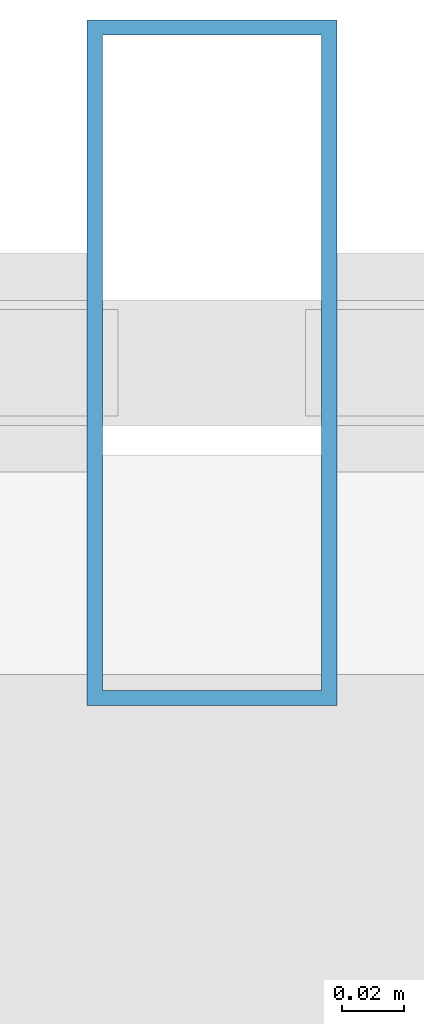
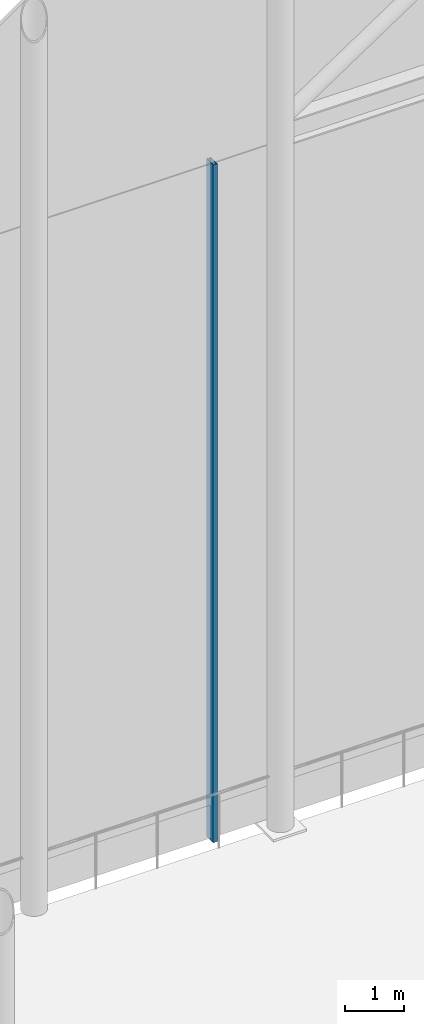
# One storey, part 30 of 42: 1 member, 1 element without a shape of its own.
"""IFC4 building model written with IfcOpenShell, lengths in metres."""

import ifcopenshell
import ifcopenshell.guid

model = None  # the IFC model being written
_history = None  # IfcOwnerHistory: only IFC2X3 demands one
_inside = {}  # id of a spatial element -> (the spatial element, [elements in it])
_under = {}  # id of a project, library or spatial element -> (it, [spatial elements below it])
_declared = {}  # id of a project -> (the project, [libraries it declares])
_typed = {}  # id of a type object -> (the type object, [elements of that type])
_made_of = {}  # id of a material, layer set ... -> (it, [elements and type objects made of it])


def new_model(schema):
    """Start an empty IFC model of exactly this schema.

    Asked for "IFC4X3", IfcOpenShell would pick the latest addendum, in which some entities
    have other attributes; the version numbers below select the first issue.
    IFC2X3 requires an IfcOwnerHistory on every rooted entity: one is made here for all.
    """
    global model, _history
    if schema == "IFC4X3":
        model = ifcopenshell.file(schema_version=(4, 3, 0, 0))
    else:
        model = ifcopenshell.file(schema=schema)
    _inside.clear()
    _under.clear()
    _declared.clear()
    _typed.clear()
    _made_of.clear()
    _history = None
    if model.schema == "IFC2X3":
        org = make("IfcOrganization", Name="unknown")
        user = make(
            "IfcPersonAndOrganization",
            ThePerson=make("IfcPerson", FamilyName="unknown"),
            TheOrganization=org,
        )
        app = make(
            "IfcApplication",
            ApplicationDeveloper=org,
            Version="unknown",
            ApplicationFullName="unknown",
            ApplicationIdentifier="unknown",
        )
        _history = make(
            "IfcOwnerHistory",
            OwningUser=user,
            OwningApplication=app,
            ChangeAction="ADDED",
            CreationDate=0,
        )
    return model


def make(cls, **values):
    """One entity of the class cls with the attributes given. An attribute that is None is left unset."""
    return model.create_entity(
        cls, **{name: value for name, value in values.items() if value is not None}
    )


def rooted(cls, **values):
    """An entity with a GlobalId (a new one), such as an element, a storey or a relation."""
    return make(cls, GlobalId=ifcopenshell.guid.new(), OwnerHistory=_history, **values)


def si_unit(unit_type, name, prefix=None):
    """IfcSIUnit, for example si_unit("LENGTHUNIT", "METRE", prefix="MILLI")."""
    return make("IfcSIUnit", UnitType=unit_type, Prefix=prefix, Name=name)


def assignment(units):
    """IfcUnitAssignment: the units of a project."""
    return None if units is None else make("IfcUnitAssignment", Units=units)


def point(xyz):
    """IfcCartesianPoint."""
    return None if xyz is None else make("IfcCartesianPoint", Coordinates=xyz)


def direction(xyz):
    """IfcDirection."""
    return None if xyz is None else make("IfcDirection", DirectionRatios=xyz)


def frame(location, z_axis=None, x_axis=None):
    """IfcAxis2Placement3D, a coordinate frame: its origin and axes. An axis left out is left unset."""
    return make(
        "IfcAxis2Placement3D",
        Location=point(location),
        Axis=direction(z_axis),
        RefDirection=direction(x_axis),
    )


def frame_2d(location, x_axis=None):
    """IfcAxis2Placement2D, a coordinate frame in the plane: its origin and x axis."""
    return make(
        "IfcAxis2Placement2D", Location=point(location), RefDirection=direction(x_axis)
    )


def origin():
    """The frame at (0, 0, 0) with its axes left unset."""
    return frame((0.0, 0.0, 0.0))


def origin_2d():
    """The frame at (0, 0) in the plane with its x axis left unset."""
    return frame_2d((0.0, 0.0))


def place(relative_to, where):
    """IfcLocalPlacement: puts the frame where relative to a parent placement (None: the world)."""
    return make(
        "IfcLocalPlacement", PlacementRelTo=relative_to, RelativePlacement=where
    )


def context(
    kind, dimensions, precision=None, world=None, true_north=None, identifier=None
):
    """IfcGeometricRepresentationContext, for example the 3D "Model" context."""
    return make(
        "IfcGeometricRepresentationContext",
        ContextIdentifier=identifier,
        ContextType=kind,
        CoordinateSpaceDimension=dimensions,
        Precision=precision,
        WorldCoordinateSystem=world,
        TrueNorth=true_north,
    )


def subcontext(parent, identifier, kind, view, scale=None):
    """IfcGeometricRepresentationSubContext, for example "Body" below "Model"."""
    return make(
        "IfcGeometricRepresentationSubContext",
        ContextIdentifier=identifier,
        ContextType=kind,
        ParentContext=parent,
        TargetScale=scale,
        TargetView=view,
    )


def project(units=None, contexts=None):
    """IfcProject with its units and contexts."""
    return rooted(
        "IfcProject",
        Name="project",
        RepresentationContexts=contexts,
        UnitsInContext=assignment(units),
    )


def spatial(cls, under=None, at=None, **own):
    """A site, building, storey or space (cls), placed at a placement, below another one or the project."""
    s = rooted(cls, ObjectPlacement=at, **own)
    if under is not None:
        _under.setdefault(under.id(), (under, []))[1].append(s)
    return s


def profile(cls, at=None, kind="AREA", **sizes):
    """A parametric profile (cls). Its sizes go by their IFC names, for example OverallWidth=200.0."""
    return make(cls, ProfileType=kind, Position=at, **sizes)


def hollow_rectangle(**sizes):
    """IfcRectangleHollowProfileDef."""
    return profile("IfcRectangleHollowProfileDef", **sizes)


def extrude(swept, where, along, depth):
    """IfcExtrudedAreaSolid: the profile swept, set in the frame where, extruded along a direction by depth."""
    return make(
        "IfcExtrudedAreaSolid",
        SweptArea=swept,
        Position=where,
        ExtrudedDirection=direction(along),
        Depth=depth,
    )


def shape(context_of_items, identifier, shape_type, items):
    """IfcShapeRepresentation: the items that make up one representation, for example the "Body"."""
    return make(
        "IfcShapeRepresentation",
        ContextOfItems=context_of_items,
        RepresentationIdentifier=identifier,
        RepresentationType=shape_type,
        Items=items,
    )


def material(Name=None, Category=None):
    """IfcMaterial."""
    return make("IfcMaterial", Name=Name, Category=Category)


def layer(
    of_material, thickness, ventilated=None, Name=None, Category=None, Priority=None
):
    """IfcMaterialLayer: one layer of a wall or slab, of a material (None: an air gap)."""
    return make(
        "IfcMaterialLayer",
        Material=of_material,
        LayerThickness=thickness,
        IsVentilated=ventilated,
        Name=Name,
        Category=Category,
        Priority=Priority,
    )


def layer_set(layers, Name=None):
    """IfcMaterialLayerSet."""
    return make("IfcMaterialLayerSet", MaterialLayers=layers, LayerSetName=Name)


def material_profile(
    of_material, cross_section, Name=None, Category=None, Priority=None
):
    """IfcMaterialProfile: a cross section and its material."""
    return make(
        "IfcMaterialProfile",
        Name=Name,
        Material=of_material,
        Profile=cross_section,
        Priority=Priority,
        Category=Category,
    )


def profile_set(profiles, Name=None, composite=None):
    """IfcMaterialProfileSet."""
    return make(
        "IfcMaterialProfileSet",
        Name=Name,
        MaterialProfiles=profiles,
        CompositeProfile=composite,
    )


def made_of(thing, what):
    """Note that an element or type object is made of a material, layer set ...; save() writes the relation."""
    if what is not None:
        _made_of.setdefault(what.id(), (what, []))[1].append(thing)
    return thing


def type_object(cls, material=None, **own):
    """A type object (cls), such as IfcWallType, which elements share."""
    return made_of(rooted(cls, **own), material)


def element(
    cls,
    number,
    at=None,
    inside=None,
    cuts=None,
    type_object=None,
    material=None,
    context=None,
    identifier="Body",
    shape_type=None,
    held_by="IfcProductDefinitionShape",
    body=None,
    shapes=None,
    **own,
):
    """One element of the class cls, such as IfcWall. Its Tag is "e" and its number.

    at: its placement. inside: the storey or other place that contains it. cuts: it is an
    opening in that element (IfcRelVoidsElement). A single representation is given by context,
    identifier, shape_type and body (its items); several are given by shapes. held_by: the class
    of the entity that holds the representations. save() writes the other relations.
    """
    e = rooted(cls, Tag="e%d" % number, ObjectPlacement=at, **own)
    if body is not None:
        shapes = [shape(context, identifier, shape_type, body)]
    if shapes is not None:
        e.Representation = make(held_by, Representations=shapes)
    if inside is not None:
        _inside.setdefault(inside.id(), (inside, []))[1].append(e)
    if cuts is not None:
        rooted(
            "IfcRelVoidsElement", RelatingBuildingElement=cuts, RelatedOpeningElement=e
        )
    if type_object is not None:
        _typed.setdefault(type_object.id(), (type_object, []))[1].append(e)
    return made_of(e, material)


def aggregate(whole, parts):
    """IfcRelAggregates: a whole, such as a stair, and the parts it consists of."""
    return rooted("IfcRelAggregates", RelatingObject=whole, RelatedObjects=parts)


def save(model, path):
    """Write the relations noted so far, then the file.

    IfcRelAggregates (storeys below a building ...), IfcRelContainedInSpatialStructure (elements
    in a storey), IfcRelDefinesByType, IfcRelAssociatesMaterial and IfcRelDeclares: one each for
    every whole, place, type object, material and project.
    """
    for whole, parts in _under.values():
        aggregate(whole, parts)
    for where, things in _inside.values():
        rooted(
            "IfcRelContainedInSpatialStructure",
            RelatedElements=things,
            RelatingStructure=where,
        )
    for kind, things in _typed.values():
        rooted("IfcRelDefinesByType", RelatedObjects=things, RelatingType=kind)
    for what, things in _made_of.values():
        rooted("IfcRelAssociatesMaterial", RelatedObjects=things, RelatingMaterial=what)
    for by, libraries in _declared.values():
        rooted("IfcRelDeclares", RelatingContext=by, RelatedDefinitions=libraries)
    model.write(path)


model = new_model("IFC4")

# Units and contexts
model_context = context("Model", 3, precision=1e-05, world=origin(), true_north=direction((0.0, 1.0)))
body_context = subcontext(model_context, "Body", "Model", "MODEL_VIEW")
ifc_project = project(units=[si_unit("LENGTHUNIT", "METRE"), si_unit("AREAUNIT", "SQUARE_METRE"), si_unit("VOLUMEUNIT", "CUBIC_METRE"), si_unit("PLANEANGLEUNIT", "RADIAN"), si_unit("MASSUNIT", "GRAM", prefix="KILO")], contexts=[model_context])

# Site, building, storey
site_placement = place(None, origin())
site = spatial("IfcSite", under=ifc_project, at=site_placement, CompositionType="ELEMENT")
building_placement = place(site_placement, origin())
building = spatial("IfcBuilding", under=site, at=building_placement, Name="Kallvorn Hotel Tower", CompositionType="ELEMENT")
storey_placement = place(building_placement, frame((0.0, 0.0, 306.0)))
storey = spatial("IfcBuildingStorey", under=building, at=storey_placement, Name="ROOF", CompositionType="ELEMENT", Elevation=306.0)

# Curtain wall, member
ifc_material_1 = material(Name="Thermally broken black-anodised aluminium AA 6063-T6", Category="aluminium")
ifc_layer = layer(ifc_material_1, 0.18994140625)
ifc_layer_set = layer_set([ifc_layer], Name="CW_SYS_7_CROWN_DRUM")
curtain_wall_type = type_object("IfcCurtainWallType", Name="CW_SYS_7_CROWN_DRUM", PredefinedType="USERDEFINED", material=ifc_layer_set)
curtain_wall_placement = place(storey_placement, origin())
curtain_wall = element("IfcCurtainWall", 1, at=curtain_wall_placement, inside=storey, type_object=curtain_wall_type, Name="ROOF Dark-Glass Curtain Wall CW-ROOF-N2", ObjectType="UNITISED CURTAIN WALL", PredefinedType="USERDEFINED")
ifc_material_2 = material(Name="Thermally broken black-anodised aluminium AA 6063-T6", Category="aluminium")
ifc_material_profile = material_profile(ifc_material_2, hollow_rectangle(XDim=0.080078125, YDim=0.219970703125, WallThickness=0.0048828125, at=origin_2d()), Name="MUL 220x80")
ifc_profile_set = profile_set([ifc_material_profile], Name="Thermally broken black-anodised aluminium AA 6063-T6")
member_type = type_object("IfcMemberType", Name="CW_MULLION_220x80", PredefinedType="MULLION", material=ifc_profile_set)
member_placement = place(storey_placement, frame((3.61328125, 14.64990234375, 0.02001953125), z_axis=(0.0, 0.0, 1.0), x_axis=(1.0, 0.0, 0.0)))
member = element("IfcMember", 2, at=member_placement, type_object=member_type, Name="CW-ROOF-N2 Mullion 01", PredefinedType="MULLION", context=body_context, shape_type="SweptSolid", body=[
    extrude(hollow_rectangle(XDim=0.080078125, YDim=0.219970703125, WallThickness=0.0048828125, at=origin_2d()), origin(), (0.0, 0.0, 1.0), 13.9599609375),
])
aggregate(curtain_wall, [member])

save(model, "model.ifc")
